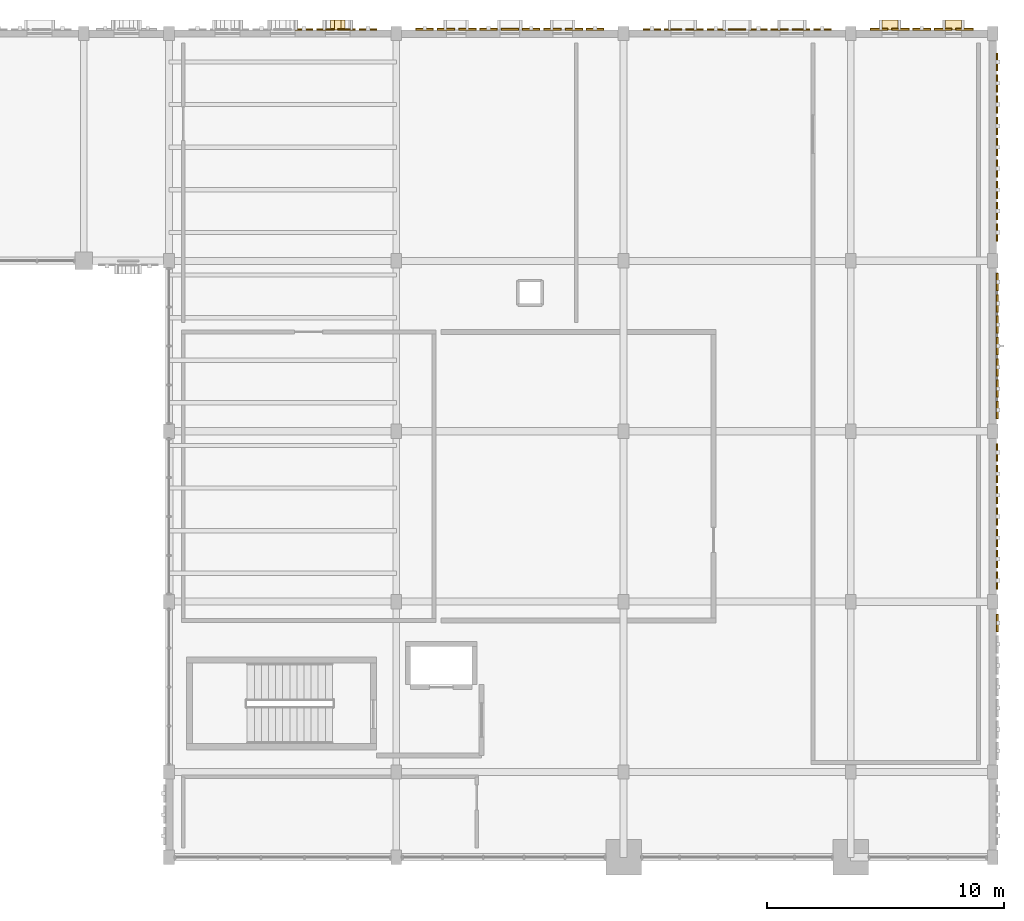
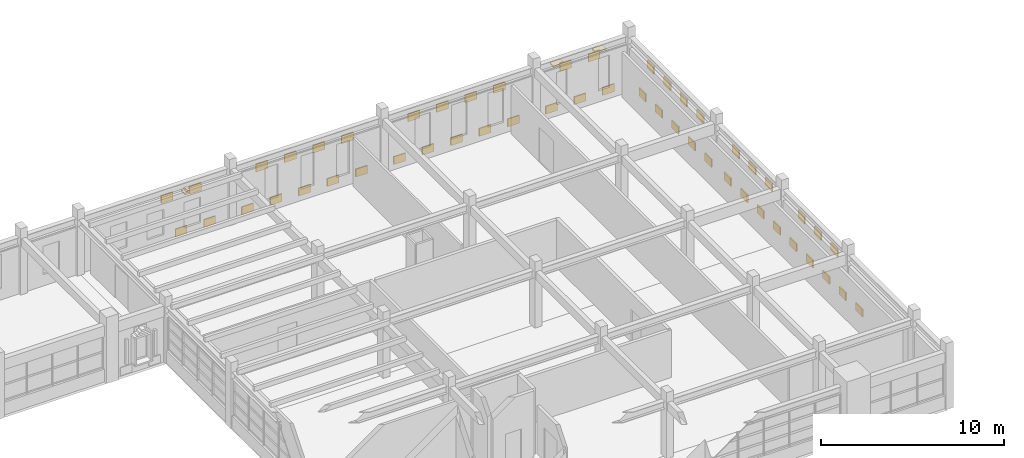
# One storey, part 69 of 69: 55 coverings.
"""IFC4 building model written with IfcOpenShell, lengths in metres."""

from ifc_helpers import new_model, si_unit, direction, frame, origin, origin_2d, place, context, subcontext, project, spatial, rectangle, extrude, material, layer, layer_set, type_object, element, save


model = new_model("IFC4")

# Units and contexts
model_context = context("Model", 3, precision=1e-05, world=origin(), true_north=direction((0.0, 1.0)))
body_context = subcontext(model_context, "Body", "Model", "MODEL_VIEW")
ifc_project = project(units=[si_unit("LENGTHUNIT", "METRE"), si_unit("AREAUNIT", "SQUARE_METRE"), si_unit("VOLUMEUNIT", "CUBIC_METRE"), si_unit("PLANEANGLEUNIT", "RADIAN"), si_unit("MASSUNIT", "GRAM", prefix="KILO")], contexts=[model_context])

# Site, building, storey
site_placement = place(None, origin())
site = spatial("IfcSite", under=ifc_project, at=site_placement, CompositionType="ELEMENT")
building_placement = place(site_placement, origin())
building = spatial("IfcBuilding", under=site, at=building_placement, Name="Nzembalo Square Collegiate School", CompositionType="ELEMENT")
storey_placement = place(building_placement, frame((0.0, 0.0, 5.10009765625)))
storey = spatial("IfcBuildingStorey", under=building, at=storey_placement, Name="L01", CompositionType="ELEMENT", Elevation=5.10009765625)

# Coverings
ifc_material_1 = material(Name="Glazed cobalt ceramic patterned tile")
ifc_layer_1 = layer(ifc_material_1, 0.074951171875, Name="Glazed cobalt ceramic patterned tile")
ifc_layer_set_1 = layer_set([ifc_layer_1], Name="Glazed cobalt ceramic patterned tile")
covering_type_1 = type_object("IfcCoveringType", Name="CL01", PredefinedType="CLADDING", material=ifc_layer_set_1)
for number, where, z_axis, x_axis, name in (
    (1, (136.5, 114.177490234375, 2.643798828125), (0.0, 0.0, 1.0), (1.0, 0.0, 0.0), "Patterned ceramic tile CL01-X0133-5-1"),
    (2, (137.39990234375, 114.177490234375, 0.099853515625), (0.0, 0.0, 1.0), (1.0, 0.0, 0.0), "Patterned ceramic tile CL01-X0133-6-0"),
    (3, (138.300048828125, 114.177490234375, 2.643798828125), (0.0, 0.0, 1.0), (1.0, 0.0, 0.0), "Patterned ceramic tile CL01-X0133-7-1"),
    (4, (139.199951171875, 114.177490234375, 0.099853515625), (0.0, 0.0, 1.0), (1.0, 0.0, 0.0), "Patterned ceramic tile CL01-X0133-8-0"),
    (5, (141.60009765625, 114.1875, 0.099853515625), (0.0, 0.0, 1.0), (1.0, 0.0, 0.0), "Patterned ceramic tile CL01-X0134-0-0"),
    (6, (142.5, 114.1875, 2.643798828125), (0.0, 0.0, 1.0), (1.0, 0.0, 0.0), "Patterned ceramic tile CL01-X0134-1-1"),
    (7, (143.39990234375, 114.1875, 0.099853515625), (0.0, 0.0, 1.0), (1.0, 0.0, 0.0), "Patterned ceramic tile CL01-X0134-2-0"),
    (8, (144.300048828125, 114.1875, 2.643798828125), (0.0, 0.0, 1.0), (1.0, 0.0, 0.0), "Patterned ceramic tile CL01-X0134-3-1"),
    (9, (145.199951171875, 114.1875, 0.099853515625), (0.0, 0.0, 1.0), (1.0, 0.0, 0.0), "Patterned ceramic tile CL01-X0134-4-0"),
    (10, (146.10009765625, 114.1875, 2.643798828125), (0.0, 0.0, 1.0), (1.0, 0.0, 0.0), "Patterned ceramic tile CL01-X0134-5-1"),
    (11, (147.0, 114.1875, 0.099853515625), (0.0, 0.0, 1.0), (1.0, 0.0, 0.0), "Patterned ceramic tile CL01-X0134-6-0"),
    (12, (147.89990234375, 114.1875, 2.643798828125), (0.0, 0.0, 1.0), (1.0, 0.0, 0.0), "Patterned ceramic tile CL01-X0134-7-1"),
    (13, (148.800048828125, 114.1875, 0.099853515625), (0.0, 0.0, 1.0), (1.0, 0.0, 0.0), "Patterned ceramic tile CL01-X0134-8-0"),
    (14, (151.199951171875, 114.177490234375, 0.099853515625), (0.0, 0.0, 1.0), (1.0, 0.0, 0.0), "Patterned ceramic tile CL01-X0135-0-0"),
    (15, (152.10009765625, 114.177490234375, 2.643798828125), (0.0, 0.0, 1.0), (1.0, 0.0, 0.0), "Patterned ceramic tile CL01-X0135-1-1"),
    (16, (153.0, 114.177490234375, 0.099853515625), (0.0, 0.0, 1.0), (1.0, 0.0, 0.0), "Patterned ceramic tile CL01-X0135-2-0"),
    (17, (153.89990234375, 114.177490234375, 2.643798828125), (0.0, 0.0, 1.0), (1.0, 0.0, 0.0), "Patterned ceramic tile CL01-X0135-3-1"),
    (18, (154.800048828125, 114.177490234375, 0.099853515625), (0.0, 0.0, 1.0), (1.0, 0.0, 0.0), "Patterned ceramic tile CL01-X0135-4-0"),
    (19, (155.699951171875, 114.177490234375, 2.643798828125), (0.0, 0.0, 1.0), (1.0, 0.0, 0.0), "Patterned ceramic tile CL01-X0135-5-1"),
    (20, (156.60009765625, 114.177490234375, 0.099853515625), (0.0, 0.0, 1.0), (1.0, 0.0, 0.0), "Patterned ceramic tile CL01-X0135-6-0"),
    (21, (157.5, 114.177490234375, 2.643798828125), (0.0, 0.0, 1.0), (1.0, 0.0, 0.0), "Patterned ceramic tile CL01-X0135-7-1"),
    (22, (158.39990234375, 114.177490234375, 0.099853515625), (0.0, 0.0, 1.0), (1.0, 0.0, 0.0), "Patterned ceramic tile CL01-X0135-8-0"),
    (23, (160.800048828125, 114.1875, 0.099853515625), (0.0, 0.0, 1.0), (1.0, 0.0, 0.0), "Patterned ceramic tile CL01-X0136-0-0"),
    (24, (161.699951171875, 114.1875, 2.643798828125), (0.0, 0.0, 1.0), (1.0, 0.0, 0.0), "Patterned ceramic tile CL01-X0136-1-1"),
    (25, (162.60009765625, 114.1875, 0.099853515625), (0.0, 0.0, 1.0), (1.0, 0.0, 0.0), "Patterned ceramic tile CL01-X0136-2-0"),
    (26, (163.5, 114.1875, 2.643798828125), (0.0, 0.0, 1.0), (1.0, 0.0, 0.0), "Patterned ceramic tile CL01-X0136-3-1"),
    (27, (164.39990234375, 114.1875, 0.099853515625), (0.0, 0.0, 1.0), (1.0, 0.0, 0.0), "Patterned ceramic tile CL01-X0136-4-0"),
):
    element("IfcCovering", number, at=place(storey_placement, frame(where, z_axis=z_axis, x_axis=x_axis)), inside=storey, type_object=covering_type_1, Name=name, PredefinedType="CLADDING", context=body_context, shape_type="SweptSolid", body=[
        extrude(rectangle(XDim=0.739990234375, YDim=0.074951171875, at=origin_2d()), origin(), (0.0, 0.0, 1.0), 0.52001953125),
    ])
for number, where, z_axis, x_axis, name in (
    (28, (165.78759765625, 89.10009765625, 0.099853515625), (0.0, 0.0, 1.0), (1.0, 0.0, 0.0), "Patterned ceramic tile CL01-Y0138-6-0"),
    (29, (165.777587890625, 90.89990234375, 0.099853515625), (0.0, 0.0, 1.0), (1.0, 0.0, 0.0), "Patterned ceramic tile CL01-Y0139-0-0"),
    (30, (165.777587890625, 91.800048828125, 2.48388671875), (0.0, 0.0, 1.0), (1.0, 0.0, 0.0), "Patterned ceramic tile CL01-Y0139-1-1"),
    (31, (165.777587890625, 92.699951171875, 0.099853515625), (0.0, 0.0, 1.0), (1.0, 0.0, 0.0), "Patterned ceramic tile CL01-Y0139-2-0"),
    (32, (165.777587890625, 93.60009765625, 2.48388671875), (0.0, 0.0, 1.0), (1.0, 0.0, 0.0), "Patterned ceramic tile CL01-Y0139-3-1"),
    (33, (165.777587890625, 94.5, 0.099853515625), (0.0, 0.0, 1.0), (1.0, 0.0, 0.0), "Patterned ceramic tile CL01-Y0139-4-0"),
    (34, (165.777587890625, 95.39990234375, 2.48388671875), (0.0, 0.0, 1.0), (1.0, 0.0, 0.0), "Patterned ceramic tile CL01-Y0139-5-1"),
    (35, (165.777587890625, 96.300048828125, 0.099853515625), (0.0, 0.0, 1.0), (1.0, 0.0, 0.0), "Patterned ceramic tile CL01-Y0139-6-0"),
    (36, (165.78759765625, 98.10009765625, 0.099853515625), (0.0, 0.0, 1.0), (1.0, 0.0, 0.0), "Patterned ceramic tile CL01-Y0140-0-0"),
    (37, (165.78759765625, 99.0, 2.48388671875), (0.0, 0.0, 1.0), (1.0, 0.0, 0.0), "Patterned ceramic tile CL01-Y0140-1-1"),
    (38, (165.78759765625, 99.89990234375, 0.099853515625), (0.0, 0.0, 1.0), (1.0, 0.0, 0.0), "Patterned ceramic tile CL01-Y0140-2-0"),
    (39, (165.78759765625, 100.800048828125, 2.48388671875), (0.0, 0.0, 1.0), (1.0, 0.0, 0.0), "Patterned ceramic tile CL01-Y0140-3-1"),
    (40, (165.78759765625, 101.699951171875, 0.099853515625), (0.0, 0.0, 1.0), (1.0, 0.0, 0.0), "Patterned ceramic tile CL01-Y0140-4-0"),
    (41, (165.78759765625, 102.60009765625, 2.48388671875), (0.0, 0.0, 1.0), (1.0, 0.0, 0.0), "Patterned ceramic tile CL01-Y0140-5-1"),
    (42, (165.78759765625, 103.5, 0.099853515625), (0.0, 0.0, 1.0), (1.0, 0.0, 0.0), "Patterned ceramic tile CL01-Y0140-6-0"),
    (43, (165.777587890625, 105.60009765625, 0.099853515625), (0.0, 0.0, 1.0), (1.0, 0.0, 0.0), "Patterned ceramic tile CL01-Y0141-0-0"),
    (44, (165.777587890625, 106.5, 2.48388671875), (0.0, 0.0, 1.0), (1.0, 0.0, 0.0), "Patterned ceramic tile CL01-Y0141-1-1"),
    (45, (165.777587890625, 107.39990234375, 0.099853515625), (0.0, 0.0, 1.0), (1.0, 0.0, 0.0), "Patterned ceramic tile CL01-Y0141-2-0"),
    (46, (165.777587890625, 108.300048828125, 2.48388671875), (0.0, 0.0, 1.0), (1.0, 0.0, 0.0), "Patterned ceramic tile CL01-Y0141-3-1"),
    (47, (165.777587890625, 109.199951171875, 0.099853515625), (0.0, 0.0, 1.0), (1.0, 0.0, 0.0), "Patterned ceramic tile CL01-Y0141-4-0"),
    (48, (165.777587890625, 110.10009765625, 2.48388671875), (0.0, 0.0, 1.0), (1.0, 0.0, 0.0), "Patterned ceramic tile CL01-Y0141-5-1"),
    (49, (165.777587890625, 111.0, 0.099853515625), (0.0, 0.0, 1.0), (1.0, 0.0, 0.0), "Patterned ceramic tile CL01-Y0141-6-0"),
    (50, (165.777587890625, 111.89990234375, 2.48388671875), (0.0, 0.0, 1.0), (1.0, 0.0, 0.0), "Patterned ceramic tile CL01-Y0141-7-1"),
    (51, (165.777587890625, 112.800048828125, 0.099853515625), (0.0, 0.0, 1.0), (1.0, 0.0, 0.0), "Patterned ceramic tile CL01-Y0141-8-0"),
):
    element("IfcCovering", number, at=place(storey_placement, frame(where, z_axis=z_axis, x_axis=x_axis)), inside=storey, type_object=covering_type_1, Name=name, PredefinedType="CLADDING", context=body_context, shape_type="SweptSolid", body=[
        extrude(rectangle(XDim=0.074951171875, YDim=0.739990234375, at=origin_2d()), origin(), (0.0, 0.0, 1.0), 0.52001953125),
    ])
ifc_material_2 = material(Name="Glazed celadon ceramic window frame")
ifc_layer_2 = layer(ifc_material_2, 0.419921875, Name="Glazed celadon ceramic window frame")
ifc_layer_set_2 = layer_set([ifc_layer_2], Name="Glazed celadon ceramic window frame")
covering_type_2 = type_object("IfcCoveringType", Name="WF01", PredefinedType="CLADDING", material=ifc_layer_set_2)
covering_1_placement = place(storey_placement, frame((137.928955078125, 114.35498046875, 2.679931640625), z_axis=(0.0, 0.0, 1.0), x_axis=(1.0, 0.0, 0.0)))
element("IfcCovering", 52, at=covering_1_placement, inside=storey, type_object=covering_type_2, Name="Pointed lancet gable WF01-0311-2", PredefinedType="CLADDING", context=body_context, shape_type="SweptSolid", body=[
    extrude(rectangle(XDim=0.60009765625, YDim=0.419921875, at=origin_2d()), origin(), (0.0, 0.0, 1.0), 0.1201171875),
])
covering_2_placement = place(storey_placement, frame((137.928955078125, 114.35498046875, 2.7998046875), z_axis=(0.0, 0.0, 1.0), x_axis=(1.0, 0.0, 0.0)))
element("IfcCovering", 53, at=covering_2_placement, inside=storey, type_object=covering_type_2, Name="Pointed lancet gable WF01-0311-3", PredefinedType="CLADDING", context=body_context, shape_type="SweptSolid", body=[
    extrude(rectangle(XDim=0.27490234375, YDim=0.419921875, at=origin_2d()), origin(), (0.0, 0.0, 1.0), 0.1201171875),
])
for number, where, z_axis, x_axis, name in (
    (54, (161.263427734375, 114.364990234375, 3.019775390625), (0.0, 0.0, 1.0), (1.0, 0.0, 0.0), "Pointed lancet gable WF01-0354-1"),
    (55, (163.9365234375, 114.364990234375, 3.019775390625), (0.0, 0.0, 1.0), (1.0, 0.0, 0.0), "Pointed lancet gable WF01-0355-1"),
):
    element("IfcCovering", number, at=place(storey_placement, frame(where, z_axis=z_axis, x_axis=x_axis)), inside=storey, type_object=covering_type_2, Name=name, PredefinedType="CLADDING", context=body_context, shape_type="SweptSolid", body=[
        extrude(rectangle(XDim=0.6689453125, YDim=0.419921875, at=origin_2d()), origin(), (0.0, 0.0, 1.0), 0.1201171875),
    ])

save(model, "model.ifc")
